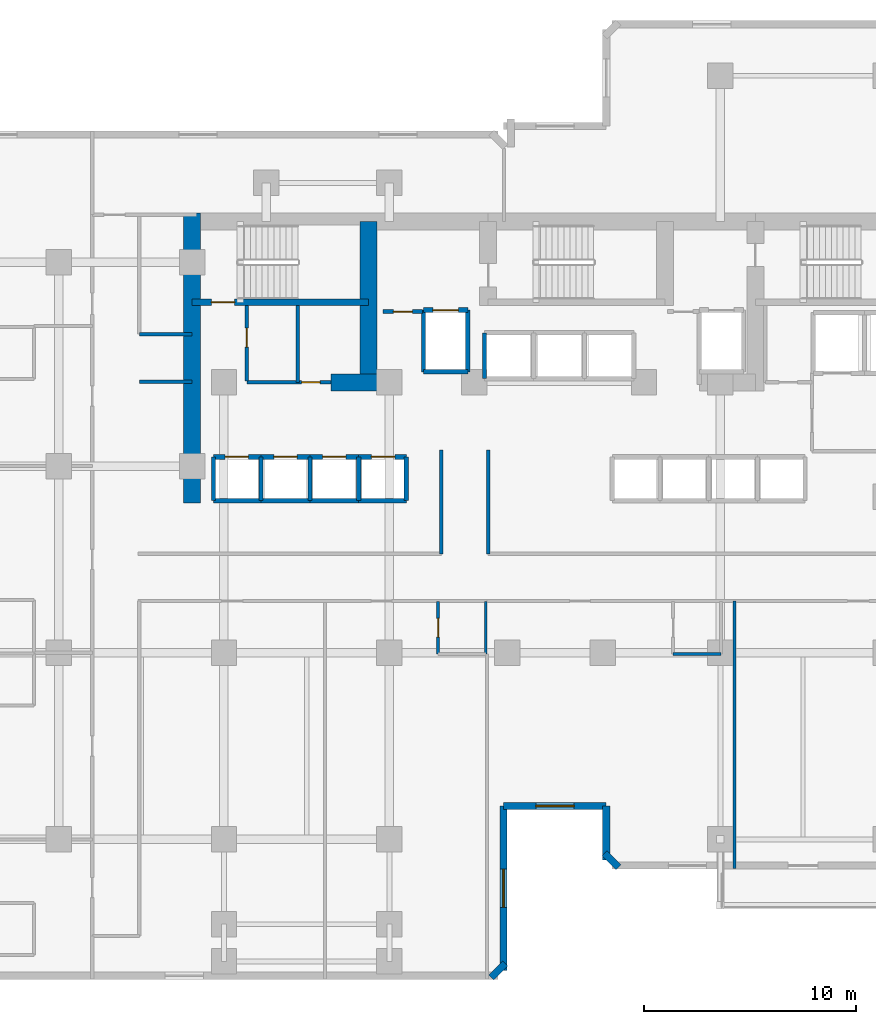
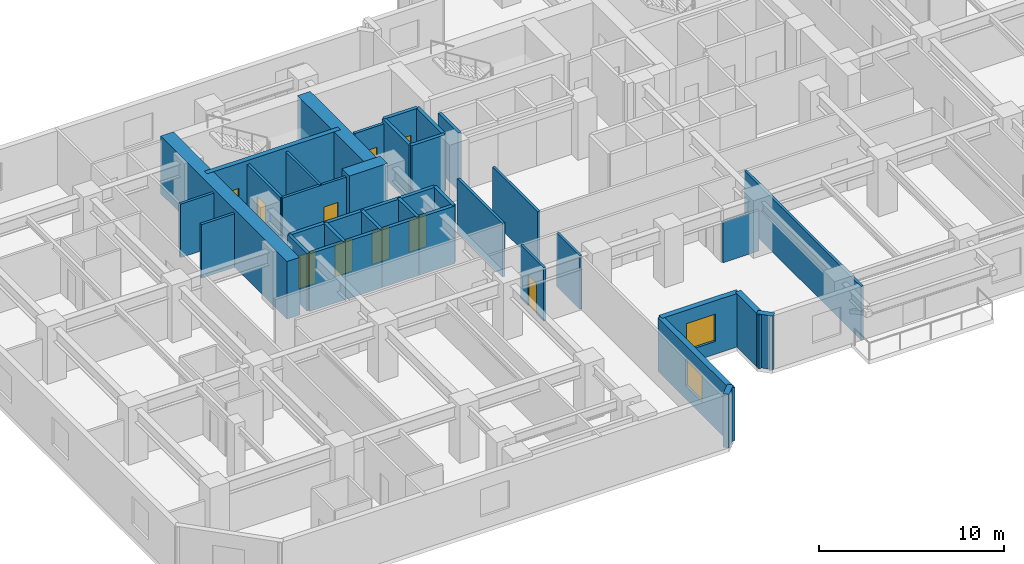
# One storey, part 6 of 11: 39 walls, 10 doors, 2 windows, 12 openings.
"""IFC4 building model written with IfcOpenShell, lengths in metres."""

import ifcopenshell
import ifcopenshell.guid

model = None  # the IFC model being written
_history = None  # IfcOwnerHistory: only IFC2X3 demands one
_inside = {}  # id of a spatial element -> (the spatial element, [elements in it])
_under = {}  # id of a project, library or spatial element -> (it, [spatial elements below it])
_declared = {}  # id of a project -> (the project, [libraries it declares])
_typed = {}  # id of a type object -> (the type object, [elements of that type])
_made_of = {}  # id of a material, layer set ... -> (it, [elements and type objects made of it])


def new_model(schema):
    """Start an empty IFC model of exactly this schema.

    Asked for "IFC4X3", IfcOpenShell would pick the latest addendum, in which some entities
    have other attributes; the version numbers below select the first issue.
    IFC2X3 requires an IfcOwnerHistory on every rooted entity: one is made here for all.
    """
    global model, _history
    if schema == "IFC4X3":
        model = ifcopenshell.file(schema_version=(4, 3, 0, 0))
    else:
        model = ifcopenshell.file(schema=schema)
    _inside.clear()
    _under.clear()
    _declared.clear()
    _typed.clear()
    _made_of.clear()
    _history = None
    if model.schema == "IFC2X3":
        org = make("IfcOrganization", Name="unknown")
        user = make(
            "IfcPersonAndOrganization",
            ThePerson=make("IfcPerson", FamilyName="unknown"),
            TheOrganization=org,
        )
        app = make(
            "IfcApplication",
            ApplicationDeveloper=org,
            Version="unknown",
            ApplicationFullName="unknown",
            ApplicationIdentifier="unknown",
        )
        _history = make(
            "IfcOwnerHistory",
            OwningUser=user,
            OwningApplication=app,
            ChangeAction="ADDED",
            CreationDate=0,
        )
    return model


def make(cls, **values):
    """One entity of the class cls with the attributes given. An attribute that is None is left unset."""
    return model.create_entity(
        cls, **{name: value for name, value in values.items() if value is not None}
    )


def rooted(cls, **values):
    """An entity with a GlobalId (a new one), such as an element, a storey or a relation."""
    return make(cls, GlobalId=ifcopenshell.guid.new(), OwnerHistory=_history, **values)


def si_unit(unit_type, name, prefix=None):
    """IfcSIUnit, for example si_unit("LENGTHUNIT", "METRE", prefix="MILLI")."""
    return make("IfcSIUnit", UnitType=unit_type, Prefix=prefix, Name=name)


def assignment(units):
    """IfcUnitAssignment: the units of a project."""
    return None if units is None else make("IfcUnitAssignment", Units=units)


def point(xyz):
    """IfcCartesianPoint."""
    return None if xyz is None else make("IfcCartesianPoint", Coordinates=xyz)


def direction(xyz):
    """IfcDirection."""
    return None if xyz is None else make("IfcDirection", DirectionRatios=xyz)


def frame(location, z_axis=None, x_axis=None):
    """IfcAxis2Placement3D, a coordinate frame: its origin and axes. An axis left out is left unset."""
    return make(
        "IfcAxis2Placement3D",
        Location=point(location),
        Axis=direction(z_axis),
        RefDirection=direction(x_axis),
    )


def frame_2d(location, x_axis=None):
    """IfcAxis2Placement2D, a coordinate frame in the plane: its origin and x axis."""
    return make(
        "IfcAxis2Placement2D", Location=point(location), RefDirection=direction(x_axis)
    )


def origin():
    """The frame at (0, 0, 0) with its axes left unset."""
    return frame((0.0, 0.0, 0.0))


def place(relative_to, where):
    """IfcLocalPlacement: puts the frame where relative to a parent placement (None: the world)."""
    return make(
        "IfcLocalPlacement", PlacementRelTo=relative_to, RelativePlacement=where
    )


def context(
    kind, dimensions, precision=None, world=None, true_north=None, identifier=None
):
    """IfcGeometricRepresentationContext, for example the 3D "Model" context."""
    return make(
        "IfcGeometricRepresentationContext",
        ContextIdentifier=identifier,
        ContextType=kind,
        CoordinateSpaceDimension=dimensions,
        Precision=precision,
        WorldCoordinateSystem=world,
        TrueNorth=true_north,
    )


def subcontext(parent, identifier, kind, view, scale=None):
    """IfcGeometricRepresentationSubContext, for example "Body" below "Model"."""
    return make(
        "IfcGeometricRepresentationSubContext",
        ContextIdentifier=identifier,
        ContextType=kind,
        ParentContext=parent,
        TargetScale=scale,
        TargetView=view,
    )


def project(units=None, contexts=None):
    """IfcProject with its units and contexts."""
    return rooted(
        "IfcProject",
        Name="project",
        RepresentationContexts=contexts,
        UnitsInContext=assignment(units),
    )


def spatial(cls, under=None, at=None, **own):
    """A site, building, storey or space (cls), placed at a placement, below another one or the project."""
    s = rooted(cls, ObjectPlacement=at, **own)
    if under is not None:
        _under.setdefault(under.id(), (under, []))[1].append(s)
    return s


def profile(cls, at=None, kind="AREA", **sizes):
    """A parametric profile (cls). Its sizes go by their IFC names, for example OverallWidth=200.0."""
    return make(cls, ProfileType=kind, Position=at, **sizes)


def rectangle(**sizes):
    """IfcRectangleProfileDef."""
    return profile("IfcRectangleProfileDef", **sizes)


def extrude(swept, where, along, depth):
    """IfcExtrudedAreaSolid: the profile swept, set in the frame where, extruded along a direction by depth."""
    return make(
        "IfcExtrudedAreaSolid",
        SweptArea=swept,
        Position=where,
        ExtrudedDirection=direction(along),
        Depth=depth,
    )


def shape(context_of_items, identifier, shape_type, items):
    """IfcShapeRepresentation: the items that make up one representation, for example the "Body"."""
    return make(
        "IfcShapeRepresentation",
        ContextOfItems=context_of_items,
        RepresentationIdentifier=identifier,
        RepresentationType=shape_type,
        Items=items,
    )


def material(Name=None, Category=None):
    """IfcMaterial."""
    return make("IfcMaterial", Name=Name, Category=Category)


def layer(
    of_material, thickness, ventilated=None, Name=None, Category=None, Priority=None
):
    """IfcMaterialLayer: one layer of a wall or slab, of a material (None: an air gap)."""
    return make(
        "IfcMaterialLayer",
        Material=of_material,
        LayerThickness=thickness,
        IsVentilated=ventilated,
        Name=Name,
        Category=Category,
        Priority=Priority,
    )


def layer_set(layers, Name=None):
    """IfcMaterialLayerSet."""
    return make("IfcMaterialLayerSet", MaterialLayers=layers, LayerSetName=Name)


def made_of(thing, what):
    """Note that an element or type object is made of a material, layer set ...; save() writes the relation."""
    if what is not None:
        _made_of.setdefault(what.id(), (what, []))[1].append(thing)
    return thing


def type_object(cls, material=None, **own):
    """A type object (cls), such as IfcWallType, which elements share."""
    return made_of(rooted(cls, **own), material)


def element(
    cls,
    number,
    at=None,
    inside=None,
    cuts=None,
    type_object=None,
    material=None,
    context=None,
    identifier="Body",
    shape_type=None,
    held_by="IfcProductDefinitionShape",
    body=None,
    shapes=None,
    **own,
):
    """One element of the class cls, such as IfcWall. Its Tag is "e" and its number.

    at: its placement. inside: the storey or other place that contains it. cuts: it is an
    opening in that element (IfcRelVoidsElement). A single representation is given by context,
    identifier, shape_type and body (its items); several are given by shapes. held_by: the class
    of the entity that holds the representations. save() writes the other relations.
    """
    e = rooted(cls, Tag="e%d" % number, ObjectPlacement=at, **own)
    if body is not None:
        shapes = [shape(context, identifier, shape_type, body)]
    if shapes is not None:
        e.Representation = make(held_by, Representations=shapes)
    if inside is not None:
        _inside.setdefault(inside.id(), (inside, []))[1].append(e)
    if cuts is not None:
        rooted(
            "IfcRelVoidsElement", RelatingBuildingElement=cuts, RelatedOpeningElement=e
        )
    if type_object is not None:
        _typed.setdefault(type_object.id(), (type_object, []))[1].append(e)
    return made_of(e, material)


def fill(opening, filler):
    """IfcRelFillsElement: the door or window that sits in an opening."""
    return rooted(
        "IfcRelFillsElement",
        RelatingOpeningElement=opening,
        RelatedBuildingElement=filler,
    )


def aggregate(whole, parts):
    """IfcRelAggregates: a whole, such as a stair, and the parts it consists of."""
    return rooted("IfcRelAggregates", RelatingObject=whole, RelatedObjects=parts)


def save(model, path):
    """Write the relations noted so far, then the file.

    IfcRelAggregates (storeys below a building ...), IfcRelContainedInSpatialStructure (elements
    in a storey), IfcRelDefinesByType, IfcRelAssociatesMaterial and IfcRelDeclares: one each for
    every whole, place, type object, material and project.
    """
    for whole, parts in _under.values():
        aggregate(whole, parts)
    for where, things in _inside.values():
        rooted(
            "IfcRelContainedInSpatialStructure",
            RelatedElements=things,
            RelatingStructure=where,
        )
    for kind, things in _typed.values():
        rooted("IfcRelDefinesByType", RelatedObjects=things, RelatingType=kind)
    for what, things in _made_of.values():
        rooted("IfcRelAssociatesMaterial", RelatedObjects=things, RelatingMaterial=what)
    for by, libraries in _declared.values():
        rooted("IfcRelDeclares", RelatingContext=by, RelatedDefinitions=libraries)
    model.write(path)


model = new_model("IFC4")

# Units and contexts
model_context = context("Model", 3, precision=1e-05, world=origin(), true_north=direction((0.0, 1.0)))
body_context = subcontext(model_context, "Body", "Model", "MODEL_VIEW")
ifc_project = project(units=[si_unit("LENGTHUNIT", "METRE"), si_unit("AREAUNIT", "SQUARE_METRE"), si_unit("VOLUMEUNIT", "CUBIC_METRE"), si_unit("PLANEANGLEUNIT", "RADIAN"), si_unit("MASSUNIT", "GRAM", prefix="KILO")], contexts=[model_context])

# Site, building, storey
site_placement = place(None, origin())
site = spatial("IfcSite", under=ifc_project, at=site_placement, CompositionType="ELEMENT")
building_placement = place(site_placement, origin())
building = spatial("IfcBuilding", under=site, at=building_placement, Name="Kestravale Grand Hotel", CompositionType="ELEMENT")
storey_placement = place(building_placement, frame((0.0, 0.0, 114.60009765625)))
storey = spatial("IfcBuildingStorey", under=building, at=storey_placement, Name="L28", CompositionType="ELEMENT", Elevation=114.60009765625)

# Walls
ifc_material_1 = material(Name="Concrete f'c 60 MPa", Category="concrete")
ifc_layer_1 = layer(ifc_material_1, 0.800048828125)
ifc_layer_set_1 = layer_set([ifc_layer_1], Name="EW-CORE-800")
wall_type_1 = type_object("IfcWallType", Name="EW-CORE-800", PredefinedType="SHEAR", material=ifc_layer_set_1)
wall_1_placement = place(storey_placement, frame((21.89990234375, 27.050048828125, 0.0), z_axis=(0.0, 0.0, 1.0), x_axis=(0.0, 1.0, 0.0)))
element("IfcWall", 1, at=wall_1_placement, inside=storey, type_object=wall_type_1, Name="L28 core shear wall W1", PredefinedType="SHEAR", context=body_context, shape_type="SweptSolid", body=[
    extrude(rectangle(XDim=13.669921875, YDim=0.800048828125, at=frame_2d((6.8349609375, 0.0))), origin(), (0.0, 0.0, 1.0), 3.7998046875),
])
wall_2_placement = place(storey_placement, frame((28.449951171875, 32.75, 0.0), z_axis=(0.0, 0.0, 1.0), x_axis=(1.0, 0.0, 0.0)))
element("IfcWall", 2, at=wall_2_placement, inside=storey, type_object=wall_type_1, Name="L28 core shear wall S1", PredefinedType="SHEAR", context=body_context, shape_type="SweptSolid", body=[
    extrude(rectangle(XDim=2.400146484375, YDim=0.800048828125, at=frame_2d((1.2001953125, 0.0))), origin(), (0.0, 0.0, 1.0), 3.7998046875),
])
wall_3_placement = place(storey_placement, frame((30.219970703125, 33.14990234375, 0.0), z_axis=(0.0, 0.0, 1.0), x_axis=(0.0, 1.0, 0.0)))
element("IfcWall", 3, at=wall_3_placement, inside=storey, type_object=wall_type_1, Name="L28 core shear wall X1", PredefinedType="SHEAR", context=body_context, shape_type="SweptSolid", body=[
    extrude(rectangle(XDim=7.170166015625, YDim=0.800048828125, at=frame_2d((3.5849609375, 0.0))), origin(), (0.0, 0.0, 1.0), 3.7998046875),
])
ifc_material_2 = material(Name="Precast concrete f'c 45 MPa", Category="concrete")
ifc_layer_2 = layer(ifc_material_2, 0.340087890625)
ifc_layer_set_2 = layer_set([ifc_layer_2], Name="EW-PREC-340")
wall_type_2 = type_object("IfcWallType", Name="EW-PREC-340", PredefinedType="SOLIDWALL", material=ifc_layer_set_2)
wall_4_placement = place(storey_placement, frame((36.00146484375, 4.69189453125, 0.0), z_axis=(0.0, 0.0, 1.0), x_axis=(0.707238225886, 0.706975312048, 0.0)))
element("IfcWall", 4, at=wall_4_placement, inside=storey, type_object=wall_type_2, Name="L28 fluted precast facade wall 2", PredefinedType="SOLIDWALL", context=body_context, shape_type="SweptSolid", body=[
    extrude(rectangle(XDim=0.9287109375, YDim=0.340087890625, at=frame_2d((0.46435546875, 0.0))), origin(), (0.0, 0.0, 1.0), 3.539794921875),
])

# Wall, opening, window
wall_5_placement = place(storey_placement, frame((36.580078125, 5.030029296875, 0.0), z_axis=(0.0, 0.0, 1.0), x_axis=(0.0, 1.0, 0.0)))
wall_5 = element("IfcWall", 5, at=wall_5_placement, inside=storey, type_object=wall_type_2, Name="L28 fluted precast facade wall 3", PredefinedType="SOLIDWALL", context=body_context, shape_type="SweptSolid", body=[
    extrude(rectangle(XDim=7.739990234375, YDim=0.340087890625, at=frame_2d((3.8701171875, 0.0))), origin(), (0.0, 0.0, 1.0), 3.539794921875),
])
opening_1_placement = place(wall_5_placement, frame((2.969970703125, 0.0, 0.85009765625)))
opening_1 = element("IfcOpeningElement", 6, at=opening_1_placement, cuts=wall_5, Name="Opening W-GUEST-1800", PredefinedType="OPENING", context=body_context, shape_type="SweptSolid", body=[
    extrude(rectangle(XDim=1.800048828125, YDim=1.800048828125, at=frame_2d((0.89990234375, 0.89990234375))), frame((0.0, 0.179931640625, 0.0), z_axis=(0.0, -1.0, 0.0), x_axis=(1.0, 0.0, 0.0)), (0.0, 0.0, 1.0), 0.360107421875),
])
ifc_material_3 = material(Name="Insulated low-E double glazing in aluminium frame", Category="aluminium")
window_type = type_object("IfcWindowType", Name="W-GUEST-1800", PartitioningType="DOUBLE_PANEL_VERTICAL", PredefinedType="WINDOW", material=ifc_material_3)
window_1_placement = place(opening_1_placement, origin())
window_1 = element("IfcWindow", 7, at=window_1_placement, inside=storey, type_object=window_type, Name="L28 exterior window 3.1", OverallHeight=1.800048828125, OverallWidth=1.800048828125, PartitioningType="SINGLE_PANEL", PredefinedType="WINDOW", context=body_context, shape_type="SweptSolid", body=[
    extrude(rectangle(XDim=1.800048828125, YDim=1.800048828125, at=frame_2d((0.89990234375, 0.89990234375))), frame((0.0, 0.030029296875, 0.0), z_axis=(0.0, -1.0, 0.0), x_axis=(1.0, 0.0, 0.0)), (0.0, 0.0, 1.0), 0.06005859375),
])
fill(opening_1, window_1)

wall_6_placement = place(storey_placement, frame((36.580078125, 12.77001953125, 0.0), z_axis=(0.0, 0.0, 1.0), x_axis=(1.0, 0.0, 0.0)))
wall_6 = element("IfcWall", 8, at=wall_6_placement, inside=storey, type_object=wall_type_2, Name="L28 fluted precast facade wall 4", PredefinedType="SOLIDWALL", context=body_context, shape_type="SweptSolid", body=[
    extrude(rectangle(XDim=4.83984375, YDim=0.340087890625, at=frame_2d((2.419921875, 0.0))), origin(), (0.0, 0.0, 1.0), 3.539794921875),
])
opening_2_placement = place(wall_6_placement, frame((1.52001953125, 0.0, 0.85009765625)))
opening_2 = element("IfcOpeningElement", 9, at=opening_2_placement, cuts=wall_6, Name="Opening W-GUEST-1800", PredefinedType="OPENING", context=body_context, shape_type="SweptSolid", body=[
    extrude(rectangle(XDim=1.800048828125, YDim=1.800048828125, at=frame_2d((0.89990234375, 0.89990234375))), frame((0.0, 0.179931640625, 0.0), z_axis=(0.0, -1.0, 0.0), x_axis=(1.0, 0.0, 0.0)), (0.0, 0.0, 1.0), 0.360107421875),
])
window_2_placement = place(opening_2_placement, origin())
window_2 = element("IfcWindow", 10, at=window_2_placement, inside=storey, type_object=window_type, Name="L28 exterior window 4.1", OverallHeight=1.800048828125, OverallWidth=1.800048828125, PartitioningType="SINGLE_PANEL", PredefinedType="WINDOW", context=body_context, shape_type="SweptSolid", body=[
    extrude(rectangle(XDim=1.800048828125, YDim=1.800048828125, at=frame_2d((0.89990234375, 0.89990234375))), frame((0.0, 0.030029296875, 0.0), z_axis=(0.0, -1.0, 0.0), x_axis=(1.0, 0.0, 0.0)), (0.0, 0.0, 1.0), 0.06005859375),
])
fill(opening_2, window_2)

# Walls
wall_7_placement = place(storey_placement, frame((41.419921875, 12.77001953125, 0.0), z_axis=(0.0, 0.0, 1.0), x_axis=(0.0, -1.0, 0.0)))
element("IfcWall", 11, at=wall_7_placement, inside=storey, type_object=wall_type_2, Name="L28 fluted precast facade wall 5", PredefinedType="SOLIDWALL", context=body_context, shape_type="SweptSolid", body=[
    extrude(rectangle(XDim=2.5400390625, YDim=0.340087890625, at=frame_2d((1.27001953125, 0.0))), origin(), (0.0, 0.0, 1.0), 3.539794921875),
])
wall_8_placement = place(storey_placement, frame((41.341796875, 10.548583984375, 0.0), z_axis=(0.0, 0.0, 1.0), x_axis=(0.707106781187, -0.707106781187, 0.0)))
element("IfcWall", 12, at=wall_8_placement, inside=storey, type_object=wall_type_2, Name="L28 fluted precast facade wall 6", PredefinedType="SOLIDWALL", context=body_context, shape_type="SweptSolid", body=[
    extrude(rectangle(XDim=0.9287109375, YDim=0.340087890625, at=frame_2d((0.46435546875, 0.0))), origin(), (0.0, 0.0, 1.0), 3.539794921875),
])

# Wall, opening, door
ifc_material_4 = material(Name="Concrete f'c 45 MPa", Category="concrete")
ifc_layer_3 = layer(ifc_material_4, 0.300048828125)
ifc_layer_set_3 = layer_set([ifc_layer_3], Name="EW-STAIR-300")
wall_type_3 = type_object("IfcWallType", Name="EW-STAIR-300", PredefinedType="SHEAR", material=ifc_layer_set_3)
wall_9_placement = place(storey_placement, frame((21.89990234375, 36.52001953125, 0.0), z_axis=(0.0, 0.0, 1.0), x_axis=(1.0, 0.0, 0.0)))
wall_9 = element("IfcWall", 13, at=wall_9_placement, inside=storey, type_object=wall_type_3, Name="L28 stair enclosure shear wall SST1", PredefinedType="SHEAR", context=body_context, shape_type="SweptSolid", body=[
    extrude(rectangle(XDim=8.320068359375, YDim=0.300048828125, at=frame_2d((4.16015625, 0.0))), origin(), (0.0, 0.0, 1.0), 3.7998046875),
])
opening_3_placement = place(wall_9_placement, frame((0.89990234375, 0.0, 0.0)))
opening_3 = element("IfcOpeningElement", 14, at=opening_3_placement, cuts=wall_9, Name="Opening D-ST-1100", PredefinedType="OPENING", context=body_context, shape_type="SweptSolid", body=[
    extrude(rectangle(XDim=1.10009765625, YDim=2.14990234375, at=frame_2d((0.550048828125, 1.074951171875))), frame((0.0, 0.159912109375, 0.0), z_axis=(0.0, -1.0, 0.0), x_axis=(1.0, 0.0, 0.0)), (0.0, 0.0, 1.0), 0.320068359375),
])
ifc_material_5 = material(Name="Galvanised 90-minute fire-rated steel stair door", Category="steel")
door_type_1 = type_object("IfcDoorType", Name="D-ST-1100", OperationType="NOTDEFINED", PredefinedType="DOOR", material=ifc_material_5)
door_1_placement = place(opening_3_placement, origin())
door_1 = element("IfcDoor", 15, at=door_1_placement, inside=storey, type_object=door_type_1, Name="L28 Stair ST-1 fire door", OperationType="SINGLE_SWING_RIGHT", OverallHeight=2.14990234375, OverallWidth=1.10009765625, PredefinedType="DOOR", context=body_context, shape_type="SweptSolid", body=[
    extrude(rectangle(XDim=1.10009765625, YDim=2.14990234375, at=frame_2d((0.550048828125, 1.074951171875))), frame((0.0, 0.02490234375, 0.0), z_axis=(0.0, -1.0, 0.0), x_axis=(1.0, 0.0, 0.0)), (0.0, 0.0, 1.0), 0.050048828125),
])
fill(opening_3, door_1)

ifc_material_6 = material(Name="Acoustic fire-rated gypsum board partition", Category="other")
ifc_layer_4 = layer(ifc_material_6, 0.159912109375)
ifc_layer_set_4 = layer_set([ifc_layer_4], Name="IW-CORR-160")
wall_type_4 = type_object("IfcWallType", Name="IW-CORR-160", PredefinedType="PARTITIONING", material=ifc_layer_set_4)
wall_10_placement = place(storey_placement, frame((24.47998046875, 32.800048828125, 0.0), z_axis=(0.0, 0.0, 1.0), x_axis=(0.0, 1.0, 0.0)))
wall_10 = element("IfcWall", 16, at=wall_10_placement, inside=storey, type_object=wall_type_4, Name="L28 west core vestibule wall", PredefinedType="PARTITIONING", context=body_context, shape_type="SweptSolid", body=[
    extrude(rectangle(XDim=3.570068359375, YDim=0.159912109375, at=frame_2d((1.78515625, 0.0))), origin(), (0.0, 0.0, 1.0), 3.539794921875),
])
opening_4_placement = place(wall_10_placement, frame((1.603515625, 0.0, 0.0)))
opening_4 = element("IfcOpeningElement", 17, at=opening_4_placement, cuts=wall_10, Name="Opening D-SH-900", PredefinedType="OPENING", context=body_context, shape_type="SweptSolid", body=[
    extrude(rectangle(XDim=0.89990234375, YDim=2.10009765625, at=frame_2d((0.449951171875, 1.050048828125))), frame((0.0, 0.08984375, 0.0), z_axis=(0.0, -1.0, 0.0), x_axis=(1.0, 0.0, 0.0)), (0.0, 0.0, 1.0), 0.179931640625),
])
ifc_material_7 = material(Name="Galvanised 90-minute shaft and service fire door", Category="steel")
door_type_2 = type_object("IfcDoorType", Name="D-SH-900", OperationType="NOTDEFINED", PredefinedType="DOOR", material=ifc_material_7)
door_2_placement = place(opening_4_placement, origin())
door_2 = element("IfcDoor", 18, at=door_2_placement, inside=storey, type_object=door_type_2, Name="D-L28-HK", OperationType="SINGLE_SWING_RIGHT", OverallHeight=2.10009765625, OverallWidth=0.89990234375, PredefinedType="DOOR", context=body_context, shape_type="SweptSolid", body=[
    extrude(rectangle(XDim=0.89990234375, YDim=2.10009765625, at=frame_2d((0.449951171875, 1.050048828125))), frame((0.0, 0.02490234375, 0.0), z_axis=(0.0, -1.0, 0.0), x_axis=(1.0, 0.0, 0.0)), (0.0, 0.0, 1.0), 0.050048828125),
])
fill(opening_4, door_2)

wall_11_placement = place(storey_placement, frame((24.47998046875, 32.75, 0.0), z_axis=(0.0, 0.0, 1.0), x_axis=(1.0, 0.0, 0.0)))
wall_11 = element("IfcWall", 19, at=wall_11_placement, inside=storey, type_object=wall_type_4, Name="W-L28-CWS", PredefinedType="PARTITIONING", context=body_context, shape_type="SweptSolid", body=[
    extrude(rectangle(XDim=3.969970703125, YDim=0.159912109375, at=frame_2d((1.98486328125, 0.0))), origin(), (0.0, 0.0, 1.0), 3.539794921875),
])
opening_5_placement = place(wall_11_placement, frame((2.574951171875, 0.0, 0.0)))
opening_5 = element("IfcOpeningElement", 20, at=opening_5_placement, cuts=wall_11, Name="Opening D-BATH-880", PredefinedType="OPENING", context=body_context, shape_type="SweptSolid", body=[
    extrude(rectangle(XDim=0.8798828125, YDim=2.050048828125, at=frame_2d((0.43994140625, 1.02490234375))), frame((0.0, 0.08984375, 0.0), z_axis=(0.0, -1.0, 0.0), x_axis=(1.0, 0.0, 0.0)), (0.0, 0.0, 1.0), 0.179931640625),
])
ifc_material_8 = material(Name="Moisture-sealed walnut en-suite bathroom door", Category="wood")
door_type_3 = type_object("IfcDoorType", Name="D-BATH-880", OperationType="NOTDEFINED", PredefinedType="DOOR", material=ifc_material_8)
door_3_placement = place(opening_5_placement, origin())
door_3 = element("IfcDoor", 21, at=door_3_placement, inside=storey, type_object=door_type_3, Name="D-L28-SWC", OperationType="SINGLE_SWING_RIGHT", OverallHeight=2.050048828125, OverallWidth=0.8798828125, PredefinedType="DOOR", context=body_context, shape_type="SweptSolid", body=[
    extrude(rectangle(XDim=0.8798828125, YDim=2.050048828125, at=frame_2d((0.43994140625, 1.02490234375))), frame((0.0, 0.02490234375, 0.0), z_axis=(0.0, -1.0, 0.0), x_axis=(1.0, 0.0, 0.0)), (0.0, 0.0, 1.0), 0.050048828125),
])
fill(opening_5, door_3)

# Walls
for number, where, z_axis, x_axis, name in (
    (22, (33.64990234375, 24.659912109375, 0.0), (0.0, 0.0, 1.0), (0.0, 1.0, 0.0), "W-L28-TRUNK-W"),
    (23, (35.85009765625, 24.659912109375, 0.0), (0.0, 0.0, 1.0), (0.0, 1.0, 0.0), "W-L28-TRUNK-E"),
):
    element("IfcWall", number, at=place(storey_placement, frame(where, z_axis=z_axis, x_axis=x_axis)), inside=storey, type_object=wall_type_4, Name=name, PredefinedType="PARTITIONING", context=body_context, shape_type="SweptSolid", body=[
        extrude(rectangle(XDim=4.89013671875, YDim=0.159912109375, at=frame_2d((2.445068359375, 0.0))), origin(), (0.0, 0.0, 1.0), 3.539794921875),
    ])
for number, where, z_axis, x_axis, name in (
    (24, (19.409912109375, 35.02001953125, 0.0), (0.0, 0.0, 1.0), (1.0, 0.0, 0.0), "W-L28-SW-CN"),
    (25, (19.409912109375, 32.780029296875, 0.0), (0.0, 0.0, 1.0), (1.0, 0.0, 0.0), "W-L28-SW-CS"),
):
    element("IfcWall", number, at=place(storey_placement, frame(where, z_axis=z_axis, x_axis=x_axis)), inside=storey, type_object=wall_type_4, Name=name, PredefinedType="PARTITIONING", context=body_context, shape_type="SweptSolid", body=[
        extrude(rectangle(XDim=2.489990234375, YDim=0.159912109375, at=frame_2d((1.2451171875, 0.0))), origin(), (0.0, 0.0, 1.0), 3.539794921875),
    ])

# Wall, opening, door
ifc_material_9 = material(Name="Fire-rated gypsum board on steel studs with mineral wool", Category="steel")
ifc_layer_5 = layer(ifc_material_9, 0.179931640625)
ifc_layer_set_5 = layer_set([ifc_layer_5], Name="IW-FSAE-180")
wall_type_5 = type_object("IfcWallType", Name="IW-FSAE-180", PredefinedType="PARTITIONING", material=ifc_layer_set_5)
wall_12_placement = place(storey_placement, frame((30.89990234375, 36.080078125, 0.0), z_axis=(0.0, 0.0, 1.0), x_axis=(1.0, 0.0, 0.0)))
wall_12 = element("IfcWall", 26, at=wall_12_placement, inside=storey, type_object=wall_type_5, Name="L28 FSAE Lobby 1 smoke barrier", PredefinedType="PARTITIONING", context=body_context, shape_type="SweptSolid", body=[
    extrude(rectangle(XDim=1.85009765625, YDim=0.179931640625, at=frame_2d((0.925048828125, 0.0))), origin(), (0.0, 0.0, 1.0), 3.539794921875),
])
opening_6_placement = place(wall_12_placement, frame((0.47998046875, 0.0, 0.0)))
opening_6 = element("IfcOpeningElement", 27, at=opening_6_placement, cuts=wall_12, Name="Opening D-FSAE-1000", PredefinedType="OPENING", context=body_context, shape_type="SweptSolid", body=[
    extrude(rectangle(XDim=0.89990234375, YDim=2.14990234375, at=frame_2d((0.449951171875, 1.074951171875))), frame((0.0, 0.099853515625, 0.0), z_axis=(0.0, -1.0, 0.0), x_axis=(1.0, 0.0, 0.0)), (0.0, 0.0, 1.0), 0.199951171875),
])
ifc_material_10 = material(Name="Smoke-gasketed FSAE lobby fire door", Category="steel")
door_type_4 = type_object("IfcDoorType", Name="D-FSAE-1000", OperationType="NOTDEFINED", PredefinedType="DOOR", material=ifc_material_10)
door_4_placement = place(opening_6_placement, origin())
door_4 = element("IfcDoor", 28, at=door_4_placement, inside=storey, type_object=door_type_4, Name="L28 FSAE Lobby 1 fire door", OperationType="SINGLE_SWING_RIGHT", OverallHeight=2.14990234375, OverallWidth=0.89990234375, PredefinedType="DOOR", context=body_context, shape_type="SweptSolid", body=[
    extrude(rectangle(XDim=0.89990234375, YDim=2.14990234375, at=frame_2d((0.449951171875, 1.074951171875))), frame((0.0, 0.02490234375, 0.0), z_axis=(0.0, -1.0, 0.0), x_axis=(1.0, 0.0, 0.0)), (0.0, 0.0, 1.0), 0.050048828125),
])
fill(opening_6, door_4)

ifc_material_11 = material(Name="Moisture-resistant tile-backer plumbing chase wall", Category="other")
ifc_layer_6 = layer(ifc_material_11, 0.139892578125)
ifc_layer_set_6 = layer_set([ifc_layer_6], Name="IW-PLB-140")
wall_type_6 = type_object("IfcWallType", Name="IW-PLB-140", PredefinedType="PLUMBINGWALL", material=ifc_layer_set_6)
wall_13_placement = place(storey_placement, frame((33.489990234375, 19.929931640625, 0.0), z_axis=(0.0, 0.0, 1.0), x_axis=(0.0, 1.0, 0.0)))
wall_13 = element("IfcWall", 29, at=wall_13_placement, inside=storey, type_object=wall_type_6, Name="W-L28-U01-BW", PredefinedType="PLUMBINGWALL", context=body_context, shape_type="SweptSolid", body=[
    extrude(rectangle(XDim=2.489990234375, YDim=0.139892578125, at=frame_2d((1.2451171875, 0.0))), origin(), (0.0, 0.0, 1.0), 3.539794921875),
])
opening_7_placement = place(wall_13_placement, frame((0.804931640625, 0.0, 0.0)))
opening_7 = element("IfcOpeningElement", 30, at=opening_7_placement, cuts=wall_13, Name="Opening D-BATH-880", PredefinedType="OPENING", context=body_context, shape_type="SweptSolid", body=[
    extrude(rectangle(XDim=0.8798828125, YDim=2.050048828125, at=frame_2d((0.43994140625, 1.02490234375))), frame((0.0, 0.079833984375, 0.0), z_axis=(0.0, -1.0, 0.0), x_axis=(1.0, 0.0, 0.0)), (0.0, 0.0, 1.0), 0.159912109375),
])
door_5_placement = place(opening_7_placement, origin())
door_5 = element("IfcDoor", 31, at=door_5_placement, inside=storey, type_object=door_type_3, Name="D-L28-U01-BATH", OperationType="SINGLE_SWING_RIGHT", OverallHeight=2.050048828125, OverallWidth=0.8798828125, PredefinedType="DOOR", context=body_context, shape_type="SweptSolid", body=[
    extrude(rectangle(XDim=0.8798828125, YDim=2.050048828125, at=frame_2d((0.43994140625, 1.02490234375))), frame((0.0, 0.02490234375, 0.0), z_axis=(0.0, -1.0, 0.0), x_axis=(1.0, 0.0, 0.0)), (0.0, 0.0, 1.0), 0.050048828125),
])
fill(opening_7, door_5)

# Walls
wall_14_placement = place(storey_placement, frame((35.739990234375, 19.929931640625, 0.0), z_axis=(0.0, 0.0, 1.0), x_axis=(0.0, 1.0, 0.0)))
element("IfcWall", 32, at=wall_14_placement, inside=storey, type_object=wall_type_6, Name="W-L28-U01-BE", PredefinedType="PLUMBINGWALL", context=body_context, shape_type="SweptSolid", body=[
    extrude(rectangle(XDim=2.489990234375, YDim=0.139892578125, at=frame_2d((1.2451171875, 0.0))), origin(), (0.0, 0.0, 1.0), 3.539794921875),
])
wall_15_placement = place(storey_placement, frame((44.570068359375, 19.929931640625, 0.0), z_axis=(0.0, 0.0, 1.0), x_axis=(1.0, 0.0, 0.0)))
element("IfcWall", 33, at=wall_15_placement, inside=storey, type_object=wall_type_6, Name="W-L28-U02-BS", PredefinedType="PLUMBINGWALL", context=body_context, shape_type="SweptSolid", body=[
    extrude(rectangle(XDim=2.25, YDim=0.139892578125, at=frame_2d((1.125, 0.0))), origin(), (0.0, 0.0, 1.0), 2.678955078125),
])
ifc_material_12 = material(Name="Concrete f'c 45 MPa", Category="concrete")
ifc_layer_7 = layer(ifc_material_12, 0.199951171875)
ifc_layer_set_7 = layer_set([ifc_layer_7], Name="IW-SHAFT-200")
wall_type_7 = type_object("IfcWallType", Name="IW-SHAFT-200", PredefinedType="SHEAR", material=ifc_layer_set_7)
for number, where, z_axis, x_axis, name in (
    (34, (22.905029296875, 27.169921875, 0.0), (0.0, 0.0, 1.0), (0.0, 1.0, 0.0), "L28 PL-L1 west shaft wall"),
    (35, (25.14990234375, 27.169921875, 0.0), (0.0, 0.0, 1.0), (0.0, 1.0, 0.0), "L28 PL-L2 west shaft wall"),
    (36, (27.449951171875, 27.169921875, 0.0), (0.0, 0.0, 1.0), (0.0, 1.0, 0.0), "L28 PL-L3 west shaft wall"),
    (37, (29.75, 27.169921875, 0.0), (0.0, 0.0, 1.0), (0.0, 1.0, 0.0), "L28 PL-L4 west shaft wall"),
    (38, (31.9951171875, 27.169921875, 0.0), (0.0, 0.0, 1.0), (0.0, 1.0, 0.0), "L28 PL-L4 east shaft wall"),
):
    element("IfcWall", number, at=place(storey_placement, frame(where, z_axis=z_axis, x_axis=x_axis)), inside=storey, type_object=wall_type_7, Name=name, PredefinedType="SHEAR", context=body_context, shape_type="SweptSolid", body=[
        extrude(rectangle(XDim=2.06005859375, YDim=0.199951171875, at=frame_2d((1.030029296875, 0.0))), origin(), (0.0, 0.0, 1.0), 3.7998046875),
    ])
wall_16_placement = place(storey_placement, frame((35.679931640625, 32.919921875, 0.0), z_axis=(0.0, 0.0, 1.0), x_axis=(0.0, 1.0, 0.0)))
element("IfcWall", 39, at=wall_16_placement, inside=storey, type_object=wall_type_7, Name="L28 PL-X1 west shaft wall", PredefinedType="SHEAR", context=body_context, shape_type="SweptSolid", body=[
    extrude(rectangle(XDim=2.16015625, YDim=0.199951171875, at=frame_2d((1.080078125, 0.0))), origin(), (0.0, 0.0, 1.0), 3.7998046875),
])
for number, where, z_axis, x_axis, name in (
    (40, (32.804931640625, 33.2451171875, 0.0), (0.0, 0.0, 1.0), (0.0, 1.0, 0.0), "L28 FL-1 west shaft wall"),
    (41, (34.89501953125, 33.2451171875, 0.0), (0.0, 0.0, 1.0), (0.0, 1.0, 0.0), "L28 FL-1 east shaft wall"),
):
    element("IfcWall", number, at=place(storey_placement, frame(where, z_axis=z_axis, x_axis=x_axis)), inside=storey, type_object=wall_type_7, Name=name, PredefinedType="SHEAR", context=body_context, shape_type="SweptSolid", body=[
        extrude(rectangle(XDim=2.909912109375, YDim=0.199951171875, at=frame_2d((1.455078125, 0.0))), origin(), (0.0, 0.0, 1.0), 3.7998046875),
    ])

# Wall, opening, door
ifc_material_13 = material(Name="Concrete f'c 45 MPa", Category="concrete")
ifc_layer_8 = layer(ifc_material_13, 0.219970703125)
ifc_layer_set_8 = layer_set([ifc_layer_8], Name="IW-SHAFT-220")
wall_type_8 = type_object("IfcWallType", Name="IW-SHAFT-220", PredefinedType="SHEAR", material=ifc_layer_set_8)
wall_17_placement = place(storey_placement, frame((22.905029296875, 29.22998046875, 0.0), z_axis=(0.0, 0.0, 1.0), x_axis=(1.0, 0.0, 0.0)))
wall_17 = element("IfcWall", 42, at=wall_17_placement, inside=storey, type_object=wall_type_8, Name="L28 PL-L1 north shaft wall", PredefinedType="SHEAR", context=body_context, shape_type="SweptSolid", body=[
    extrude(rectangle(XDim=2.244873046875, YDim=0.219970703125, at=frame_2d((1.12255859375, 0.0))), origin(), (0.0, 0.0, 1.0), 3.7998046875),
])
opening_8_placement = place(wall_17_placement, frame((0.544921875, 0.0, 0.0)))
opening_8 = element("IfcOpeningElement", 43, at=opening_8_placement, cuts=wall_17, Name="Opening LD-PAX-1100", PredefinedType="OPENING", context=body_context, shape_type="SweptSolid", body=[
    extrude(rectangle(XDim=1.10009765625, YDim=2.14990234375, at=frame_2d((0.550048828125, 1.074951171875))), frame((0.0, 0.119873046875, 0.0), z_axis=(0.0, -1.0, 0.0), x_axis=(1.0, 0.0, 0.0)), (0.0, 0.0, 1.0), 0.239990234375),
])
ifc_material_14 = material(Name="Champagne-bronze center-opening sliding elevator landing door", Category="steel")
door_type_5 = type_object("IfcDoorType", Name="LD-PAX-1100", OperationType="NOTDEFINED", PredefinedType="DOOR", material=ifc_material_14)
door_6_placement = place(opening_8_placement, origin())
door_6 = element("IfcDoor", 44, at=door_6_placement, inside=storey, type_object=door_type_5, Name="L28 PL-L1 elevator landing sliding door", OperationType="DOUBLE_DOOR_SLIDING", OverallHeight=2.14990234375, OverallWidth=1.10009765625, PredefinedType="DOOR", context=body_context, shape_type="SweptSolid", body=[
    extrude(rectangle(XDim=1.10009765625, YDim=2.14990234375, at=frame_2d((0.550048828125, 1.074951171875))), frame((0.0, 0.02490234375, 0.0), z_axis=(0.0, -1.0, 0.0), x_axis=(1.0, 0.0, 0.0)), (0.0, 0.0, 1.0), 0.050048828125),
])
fill(opening_8, door_6)

# Wall
wall_18_placement = place(storey_placement, frame((22.905029296875, 27.169921875, 0.0), z_axis=(0.0, 0.0, 1.0), x_axis=(1.0, 0.0, 0.0)))
element("IfcWall", 45, at=wall_18_placement, inside=storey, type_object=wall_type_8, Name="L28 PL-L1 south shaft wall", PredefinedType="SHEAR", context=body_context, shape_type="SweptSolid", body=[
    extrude(rectangle(XDim=2.244873046875, YDim=0.219970703125, at=frame_2d((1.12255859375, 0.0))), origin(), (0.0, 0.0, 1.0), 3.7998046875),
])

# Wall, opening, door
wall_19_placement = place(storey_placement, frame((25.14990234375, 29.22998046875, 0.0), z_axis=(0.0, 0.0, 1.0), x_axis=(1.0, 0.0, 0.0)))
wall_19 = element("IfcWall", 46, at=wall_19_placement, inside=storey, type_object=wall_type_8, Name="L28 PL-L2 north shaft wall", PredefinedType="SHEAR", context=body_context, shape_type="SweptSolid", body=[
    extrude(rectangle(XDim=2.300048828125, YDim=0.219970703125, at=frame_2d((1.14990234375, 0.0))), origin(), (0.0, 0.0, 1.0), 3.7998046875),
])
opening_9_placement = place(wall_19_placement, frame((0.60009765625, 0.0, 0.0)))
opening_9 = element("IfcOpeningElement", 47, at=opening_9_placement, cuts=wall_19, Name="Opening LD-PAX-1100", PredefinedType="OPENING", context=body_context, shape_type="SweptSolid", body=[
    extrude(rectangle(XDim=1.10009765625, YDim=2.14990234375, at=frame_2d((0.550048828125, 1.074951171875))), frame((0.0, 0.119873046875, 0.0), z_axis=(0.0, -1.0, 0.0), x_axis=(1.0, 0.0, 0.0)), (0.0, 0.0, 1.0), 0.239990234375),
])
door_7_placement = place(opening_9_placement, origin())
door_7 = element("IfcDoor", 48, at=door_7_placement, inside=storey, type_object=door_type_5, Name="L28 PL-L2 elevator landing sliding door", OperationType="DOUBLE_DOOR_SLIDING", OverallHeight=2.14990234375, OverallWidth=1.10009765625, PredefinedType="DOOR", context=body_context, shape_type="SweptSolid", body=[
    extrude(rectangle(XDim=1.10009765625, YDim=2.14990234375, at=frame_2d((0.550048828125, 1.074951171875))), frame((0.0, 0.02490234375, 0.0), z_axis=(0.0, -1.0, 0.0), x_axis=(1.0, 0.0, 0.0)), (0.0, 0.0, 1.0), 0.050048828125),
])
fill(opening_9, door_7)

# Wall
wall_20_placement = place(storey_placement, frame((25.14990234375, 27.169921875, 0.0), z_axis=(0.0, 0.0, 1.0), x_axis=(1.0, 0.0, 0.0)))
element("IfcWall", 49, at=wall_20_placement, inside=storey, type_object=wall_type_8, Name="L28 PL-L2 south shaft wall", PredefinedType="SHEAR", context=body_context, shape_type="SweptSolid", body=[
    extrude(rectangle(XDim=2.300048828125, YDim=0.219970703125, at=frame_2d((1.14990234375, 0.0))), origin(), (0.0, 0.0, 1.0), 3.7998046875),
])

# Wall, opening, door
wall_21_placement = place(storey_placement, frame((27.449951171875, 29.22998046875, 0.0), z_axis=(0.0, 0.0, 1.0), x_axis=(1.0, 0.0, 0.0)))
wall_21 = element("IfcWall", 50, at=wall_21_placement, inside=storey, type_object=wall_type_8, Name="L28 PL-L3 north shaft wall", PredefinedType="SHEAR", context=body_context, shape_type="SweptSolid", body=[
    extrude(rectangle(XDim=2.300048828125, YDim=0.219970703125, at=frame_2d((1.14990234375, 0.0))), origin(), (0.0, 0.0, 1.0), 3.7998046875),
])
opening_10_placement = place(wall_21_placement, frame((0.60009765625, 0.0, 0.0)))
opening_10 = element("IfcOpeningElement", 51, at=opening_10_placement, cuts=wall_21, Name="Opening LD-PAX-1100", PredefinedType="OPENING", context=body_context, shape_type="SweptSolid", body=[
    extrude(rectangle(XDim=1.10009765625, YDim=2.14990234375, at=frame_2d((0.550048828125, 1.074951171875))), frame((0.0, 0.119873046875, 0.0), z_axis=(0.0, -1.0, 0.0), x_axis=(1.0, 0.0, 0.0)), (0.0, 0.0, 1.0), 0.239990234375),
])
door_8_placement = place(opening_10_placement, origin())
door_8 = element("IfcDoor", 52, at=door_8_placement, inside=storey, type_object=door_type_5, Name="L28 PL-L3 elevator landing sliding door", OperationType="DOUBLE_DOOR_SLIDING", OverallHeight=2.14990234375, OverallWidth=1.10009765625, PredefinedType="DOOR", context=body_context, shape_type="SweptSolid", body=[
    extrude(rectangle(XDim=1.10009765625, YDim=2.14990234375, at=frame_2d((0.550048828125, 1.074951171875))), frame((0.0, 0.02490234375, 0.0), z_axis=(0.0, -1.0, 0.0), x_axis=(1.0, 0.0, 0.0)), (0.0, 0.0, 1.0), 0.050048828125),
])
fill(opening_10, door_8)

# Wall
wall_22_placement = place(storey_placement, frame((27.449951171875, 27.169921875, 0.0), z_axis=(0.0, 0.0, 1.0), x_axis=(1.0, 0.0, 0.0)))
element("IfcWall", 53, at=wall_22_placement, inside=storey, type_object=wall_type_8, Name="L28 PL-L3 south shaft wall", PredefinedType="SHEAR", context=body_context, shape_type="SweptSolid", body=[
    extrude(rectangle(XDim=2.300048828125, YDim=0.219970703125, at=frame_2d((1.14990234375, 0.0))), origin(), (0.0, 0.0, 1.0), 3.7998046875),
])

# Wall, opening, door
wall_23_placement = place(storey_placement, frame((29.75, 29.22998046875, 0.0), z_axis=(0.0, 0.0, 1.0), x_axis=(1.0, 0.0, 0.0)))
wall_23 = element("IfcWall", 54, at=wall_23_placement, inside=storey, type_object=wall_type_8, Name="L28 PL-L4 north shaft wall", PredefinedType="SHEAR", context=body_context, shape_type="SweptSolid", body=[
    extrude(rectangle(XDim=2.2451171875, YDim=0.219970703125, at=frame_2d((1.12255859375, 0.0))), origin(), (0.0, 0.0, 1.0), 3.7998046875),
])
opening_11_placement = place(wall_23_placement, frame((0.60009765625, 0.0, 0.0)))
opening_11 = element("IfcOpeningElement", 55, at=opening_11_placement, cuts=wall_23, Name="Opening LD-PAX-1100", PredefinedType="OPENING", context=body_context, shape_type="SweptSolid", body=[
    extrude(rectangle(XDim=1.10009765625, YDim=2.14990234375, at=frame_2d((0.550048828125, 1.074951171875))), frame((0.0, 0.119873046875, 0.0), z_axis=(0.0, -1.0, 0.0), x_axis=(1.0, 0.0, 0.0)), (0.0, 0.0, 1.0), 0.239990234375),
])
door_9_placement = place(opening_11_placement, origin())
door_9 = element("IfcDoor", 56, at=door_9_placement, inside=storey, type_object=door_type_5, Name="L28 PL-L4 elevator landing sliding door", OperationType="DOUBLE_DOOR_SLIDING", OverallHeight=2.14990234375, OverallWidth=1.10009765625, PredefinedType="DOOR", context=body_context, shape_type="SweptSolid", body=[
    extrude(rectangle(XDim=1.10009765625, YDim=2.14990234375, at=frame_2d((0.550048828125, 1.074951171875))), frame((0.0, 0.02490234375, 0.0), z_axis=(0.0, -1.0, 0.0), x_axis=(1.0, 0.0, 0.0)), (0.0, 0.0, 1.0), 0.050048828125),
])
fill(opening_11, door_9)

# Wall
wall_24_placement = place(storey_placement, frame((29.75, 27.169921875, 0.0), z_axis=(0.0, 0.0, 1.0), x_axis=(1.0, 0.0, 0.0)))
element("IfcWall", 57, at=wall_24_placement, inside=storey, type_object=wall_type_8, Name="L28 PL-L4 south shaft wall", PredefinedType="SHEAR", context=body_context, shape_type="SweptSolid", body=[
    extrude(rectangle(XDim=2.2451171875, YDim=0.219970703125, at=frame_2d((1.12255859375, 0.0))), origin(), (0.0, 0.0, 1.0), 3.7998046875),
])

# Wall, opening, door
wall_25_placement = place(storey_placement, frame((32.804931640625, 36.155029296875, 0.0), z_axis=(0.0, 0.0, 1.0), x_axis=(1.0, 0.0, 0.0)))
wall_25 = element("IfcWall", 58, at=wall_25_placement, inside=storey, type_object=wall_type_8, Name="L28 FL-1 north shaft wall", PredefinedType="SHEAR", context=body_context, shape_type="SweptSolid", body=[
    extrude(rectangle(XDim=2.090087890625, YDim=0.219970703125, at=frame_2d((1.044921875, 0.0))), origin(), (0.0, 0.0, 1.0), 3.7998046875),
])
opening_12_placement = place(wall_25_placement, frame((0.445068359375, 0.0, 0.0)))
opening_12 = element("IfcOpeningElement", 59, at=opening_12_placement, cuts=wall_25, Name="Opening LD-FSAE-1200", PredefinedType="OPENING", context=body_context, shape_type="SweptSolid", body=[
    extrude(rectangle(XDim=1.199951171875, YDim=2.14990234375, at=frame_2d((0.60009765625, 1.074951171875))), frame((0.0, 0.119873046875, 0.0), z_axis=(0.0, -1.0, 0.0), x_axis=(1.0, 0.0, 0.0)), (0.0, 0.0, 1.0), 0.239990234375),
])
ifc_material_15 = material(Name="Stainless fire-service sliding elevator landing door", Category="steel")
door_type_6 = type_object("IfcDoorType", Name="LD-FSAE-1200", OperationType="NOTDEFINED", PredefinedType="DOOR", material=ifc_material_15)
door_10_placement = place(opening_12_placement, origin())
door_10 = element("IfcDoor", 60, at=door_10_placement, inside=storey, type_object=door_type_6, Name="L28 FL-1 elevator landing sliding door", OperationType="DOUBLE_DOOR_SLIDING", OverallHeight=2.14990234375, OverallWidth=1.199951171875, PredefinedType="DOOR", context=body_context, shape_type="SweptSolid", body=[
    extrude(rectangle(XDim=1.199951171875, YDim=2.14990234375, at=frame_2d((0.60009765625, 1.074951171875))), frame((0.0, 0.02490234375, 0.0), z_axis=(0.0, -1.0, 0.0), x_axis=(1.0, 0.0, 0.0)), (0.0, 0.0, 1.0), 0.050048828125),
])
fill(opening_12, door_10)

# Walls
wall_26_placement = place(storey_placement, frame((32.804931640625, 33.2451171875, 0.0), z_axis=(0.0, 0.0, 1.0), x_axis=(1.0, 0.0, 0.0)))
element("IfcWall", 61, at=wall_26_placement, inside=storey, type_object=wall_type_8, Name="L28 FL-1 south shaft wall", PredefinedType="SHEAR", context=body_context, shape_type="SweptSolid", body=[
    extrude(rectangle(XDim=2.090087890625, YDim=0.219970703125, at=frame_2d((1.044921875, 0.0))), origin(), (0.0, 0.0, 1.0), 3.7998046875),
])
ifc_material_16 = material(Name="Double-stud STC 52 acoustic demising partition", Category="other")
ifc_layer_9 = layer(ifc_material_16, 0.14990234375)
ifc_layer_set_9 = layer_set([ifc_layer_9], Name="IW-UNIT-150")
wall_type_9 = type_object("IfcWallType", Name="IW-UNIT-150", PredefinedType="PARTITIONING", material=ifc_layer_set_9)
wall_27_placement = place(storey_placement, frame((26.8798828125, 32.75, 0.0), z_axis=(0.0, 0.0, 1.0), x_axis=(0.0, 1.0, 0.0)))
element("IfcWall", 62, at=wall_27_placement, inside=storey, type_object=wall_type_9, Name="W-L28-CC3-V", PredefinedType="PARTITIONING", context=body_context, shape_type="SweptSolid", body=[
    extrude(rectangle(XDim=3.6201171875, YDim=0.14990234375, at=frame_2d((1.81005859375, 0.0))), origin(), (0.0, 0.0, 1.0), 3.539794921875),
])
wall_28_placement = place(storey_placement, frame((47.469970703125, 9.820068359375, 0.0), z_axis=(0.0, 0.0, 1.0), x_axis=(0.0, 1.0, 0.0)))
element("IfcWall", 63, at=wall_28_placement, inside=storey, type_object=wall_type_9, Name="W-L28-ES-1", PredefinedType="PARTITIONING", context=body_context, shape_type="SweptSolid", body=[
    extrude(rectangle(XDim=12.619873046875, YDim=0.14990234375, at=frame_2d((6.31005859375, 0.0))), origin(), (0.0, 0.0, 1.0), 3.539794921875),
])

save(model, "model.ifc")
